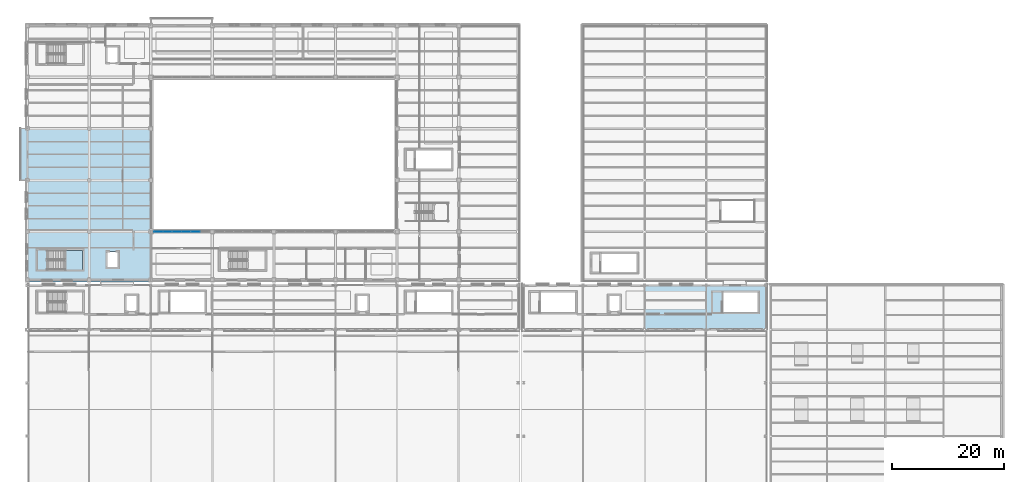
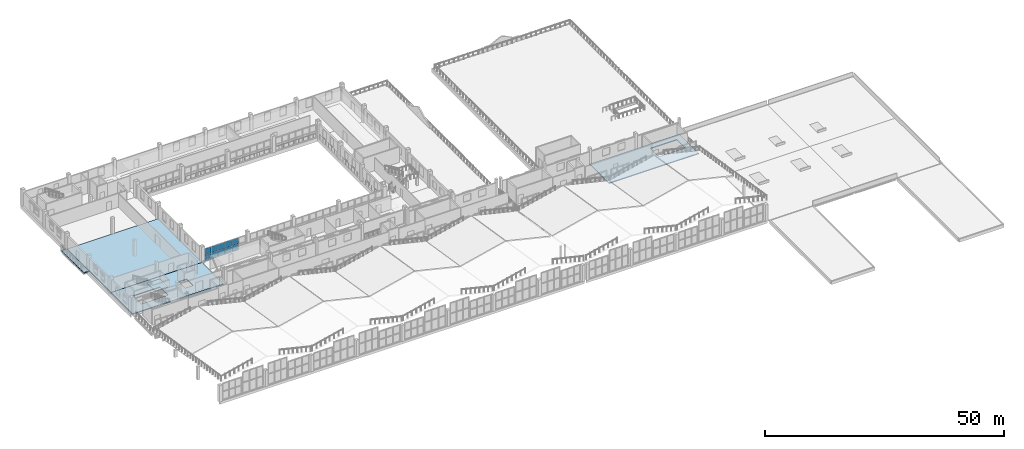
# One storey, part 85 of 120: 10 plates, 5 slabs, 2 elements without a shape of their own.
"""IFC4 building model written with IfcOpenShell, lengths in metres."""

import ifcopenshell
import ifcopenshell.guid

model = None  # the IFC model being written
_history = None  # IfcOwnerHistory: only IFC2X3 demands one
_inside = {}  # id of a spatial element -> (the spatial element, [elements in it])
_under = {}  # id of a project, library or spatial element -> (it, [spatial elements below it])
_declared = {}  # id of a project -> (the project, [libraries it declares])
_typed = {}  # id of a type object -> (the type object, [elements of that type])
_made_of = {}  # id of a material, layer set ... -> (it, [elements and type objects made of it])


def new_model(schema):
    """Start an empty IFC model of exactly this schema.

    Asked for "IFC4X3", IfcOpenShell would pick the latest addendum, in which some entities
    have other attributes; the version numbers below select the first issue.
    IFC2X3 requires an IfcOwnerHistory on every rooted entity: one is made here for all.
    """
    global model, _history
    if schema == "IFC4X3":
        model = ifcopenshell.file(schema_version=(4, 3, 0, 0))
    else:
        model = ifcopenshell.file(schema=schema)
    _inside.clear()
    _under.clear()
    _declared.clear()
    _typed.clear()
    _made_of.clear()
    _history = None
    if model.schema == "IFC2X3":
        org = make("IfcOrganization", Name="unknown")
        user = make(
            "IfcPersonAndOrganization",
            ThePerson=make("IfcPerson", FamilyName="unknown"),
            TheOrganization=org,
        )
        app = make(
            "IfcApplication",
            ApplicationDeveloper=org,
            Version="unknown",
            ApplicationFullName="unknown",
            ApplicationIdentifier="unknown",
        )
        _history = make(
            "IfcOwnerHistory",
            OwningUser=user,
            OwningApplication=app,
            ChangeAction="ADDED",
            CreationDate=0,
        )
    return model


def make(cls, **values):
    """One entity of the class cls with the attributes given. An attribute that is None is left unset."""
    return model.create_entity(
        cls, **{name: value for name, value in values.items() if value is not None}
    )


def rooted(cls, **values):
    """An entity with a GlobalId (a new one), such as an element, a storey or a relation."""
    return make(cls, GlobalId=ifcopenshell.guid.new(), OwnerHistory=_history, **values)


def si_unit(unit_type, name, prefix=None):
    """IfcSIUnit, for example si_unit("LENGTHUNIT", "METRE", prefix="MILLI")."""
    return make("IfcSIUnit", UnitType=unit_type, Prefix=prefix, Name=name)


def assignment(units):
    """IfcUnitAssignment: the units of a project."""
    return None if units is None else make("IfcUnitAssignment", Units=units)


def point(xyz):
    """IfcCartesianPoint."""
    return None if xyz is None else make("IfcCartesianPoint", Coordinates=xyz)


def direction(xyz):
    """IfcDirection."""
    return None if xyz is None else make("IfcDirection", DirectionRatios=xyz)


def frame(location, z_axis=None, x_axis=None):
    """IfcAxis2Placement3D, a coordinate frame: its origin and axes. An axis left out is left unset."""
    return make(
        "IfcAxis2Placement3D",
        Location=point(location),
        Axis=direction(z_axis),
        RefDirection=direction(x_axis),
    )


def frame_2d(location, x_axis=None):
    """IfcAxis2Placement2D, a coordinate frame in the plane: its origin and x axis."""
    return make(
        "IfcAxis2Placement2D", Location=point(location), RefDirection=direction(x_axis)
    )


def origin():
    """The frame at (0, 0, 0) with its axes left unset."""
    return frame((0.0, 0.0, 0.0))


def origin_2d():
    """The frame at (0, 0) in the plane with its x axis left unset."""
    return frame_2d((0.0, 0.0))


def place(relative_to, where):
    """IfcLocalPlacement: puts the frame where relative to a parent placement (None: the world)."""
    return make(
        "IfcLocalPlacement", PlacementRelTo=relative_to, RelativePlacement=where
    )


def context(
    kind, dimensions, precision=None, world=None, true_north=None, identifier=None
):
    """IfcGeometricRepresentationContext, for example the 3D "Model" context."""
    return make(
        "IfcGeometricRepresentationContext",
        ContextIdentifier=identifier,
        ContextType=kind,
        CoordinateSpaceDimension=dimensions,
        Precision=precision,
        WorldCoordinateSystem=world,
        TrueNorth=true_north,
    )


def subcontext(parent, identifier, kind, view, scale=None):
    """IfcGeometricRepresentationSubContext, for example "Body" below "Model"."""
    return make(
        "IfcGeometricRepresentationSubContext",
        ContextIdentifier=identifier,
        ContextType=kind,
        ParentContext=parent,
        TargetScale=scale,
        TargetView=view,
    )


def project(units=None, contexts=None):
    """IfcProject with its units and contexts."""
    return rooted(
        "IfcProject",
        Name="project",
        RepresentationContexts=contexts,
        UnitsInContext=assignment(units),
    )


def spatial(cls, under=None, at=None, **own):
    """A site, building, storey or space (cls), placed at a placement, below another one or the project."""
    s = rooted(cls, ObjectPlacement=at, **own)
    if under is not None:
        _under.setdefault(under.id(), (under, []))[1].append(s)
    return s


def polyline(points):
    """IfcPolyline through the points."""
    return make("IfcPolyline", Points=[point(p) for p in points])


def profile(cls, at=None, kind="AREA", **sizes):
    """A parametric profile (cls). Its sizes go by their IFC names, for example OverallWidth=200.0."""
    return make(cls, ProfileType=kind, Position=at, **sizes)


def rectangle(**sizes):
    """IfcRectangleProfileDef."""
    return profile("IfcRectangleProfileDef", **sizes)


def outline(outer, holes=None, kind="AREA"):
    """IfcArbitraryClosedProfileDef: a profile drawn as a closed curve; with holes, ...WithVoids."""
    if holes is None:
        return make("IfcArbitraryClosedProfileDef", ProfileType=kind, OuterCurve=outer)
    return make(
        "IfcArbitraryProfileDefWithVoids",
        ProfileType=kind,
        OuterCurve=outer,
        InnerCurves=holes,
    )


def extrude(swept, where, along, depth):
    """IfcExtrudedAreaSolid: the profile swept, set in the frame where, extruded along a direction by depth."""
    return make(
        "IfcExtrudedAreaSolid",
        SweptArea=swept,
        Position=where,
        ExtrudedDirection=direction(along),
        Depth=depth,
    )


def shape(context_of_items, identifier, shape_type, items):
    """IfcShapeRepresentation: the items that make up one representation, for example the "Body"."""
    return make(
        "IfcShapeRepresentation",
        ContextOfItems=context_of_items,
        RepresentationIdentifier=identifier,
        RepresentationType=shape_type,
        Items=items,
    )


def material(Name=None, Category=None):
    """IfcMaterial."""
    return make("IfcMaterial", Name=Name, Category=Category)


def layer(
    of_material, thickness, ventilated=None, Name=None, Category=None, Priority=None
):
    """IfcMaterialLayer: one layer of a wall or slab, of a material (None: an air gap)."""
    return make(
        "IfcMaterialLayer",
        Material=of_material,
        LayerThickness=thickness,
        IsVentilated=ventilated,
        Name=Name,
        Category=Category,
        Priority=Priority,
    )


def layer_set(layers, Name=None):
    """IfcMaterialLayerSet."""
    return make("IfcMaterialLayerSet", MaterialLayers=layers, LayerSetName=Name)


def made_of(thing, what):
    """Note that an element or type object is made of a material, layer set ...; save() writes the relation."""
    if what is not None:
        _made_of.setdefault(what.id(), (what, []))[1].append(thing)
    return thing


def type_object(cls, material=None, **own):
    """A type object (cls), such as IfcWallType, which elements share."""
    return made_of(rooted(cls, **own), material)


def element(
    cls,
    number,
    at=None,
    inside=None,
    cuts=None,
    type_object=None,
    material=None,
    context=None,
    identifier="Body",
    shape_type=None,
    held_by="IfcProductDefinitionShape",
    body=None,
    shapes=None,
    **own,
):
    """One element of the class cls, such as IfcWall. Its Tag is "e" and its number.

    at: its placement. inside: the storey or other place that contains it. cuts: it is an
    opening in that element (IfcRelVoidsElement). A single representation is given by context,
    identifier, shape_type and body (its items); several are given by shapes. held_by: the class
    of the entity that holds the representations. save() writes the other relations.
    """
    e = rooted(cls, Tag="e%d" % number, ObjectPlacement=at, **own)
    if body is not None:
        shapes = [shape(context, identifier, shape_type, body)]
    if shapes is not None:
        e.Representation = make(held_by, Representations=shapes)
    if inside is not None:
        _inside.setdefault(inside.id(), (inside, []))[1].append(e)
    if cuts is not None:
        rooted(
            "IfcRelVoidsElement", RelatingBuildingElement=cuts, RelatedOpeningElement=e
        )
    if type_object is not None:
        _typed.setdefault(type_object.id(), (type_object, []))[1].append(e)
    return made_of(e, material)


def aggregate(whole, parts):
    """IfcRelAggregates: a whole, such as a stair, and the parts it consists of."""
    return rooted("IfcRelAggregates", RelatingObject=whole, RelatedObjects=parts)


def save(model, path):
    """Write the relations noted so far, then the file.

    IfcRelAggregates (storeys below a building ...), IfcRelContainedInSpatialStructure (elements
    in a storey), IfcRelDefinesByType, IfcRelAssociatesMaterial and IfcRelDeclares: one each for
    every whole, place, type object, material and project.
    """
    for whole, parts in _under.values():
        aggregate(whole, parts)
    for where, things in _inside.values():
        rooted(
            "IfcRelContainedInSpatialStructure",
            RelatedElements=things,
            RelatingStructure=where,
        )
    for kind, things in _typed.values():
        rooted("IfcRelDefinesByType", RelatedObjects=things, RelatingType=kind)
    for what, things in _made_of.values():
        rooted("IfcRelAssociatesMaterial", RelatedObjects=things, RelatingMaterial=what)
    for by, libraries in _declared.values():
        rooted("IfcRelDeclares", RelatingContext=by, RelatedDefinitions=libraries)
    model.write(path)


model = new_model("IFC4")

# Units and contexts
model_context = context("Model", 3, precision=1e-05, world=origin(), true_north=direction((0.0, 1.0)))
body_context = subcontext(model_context, "Body", "Model", "MODEL_VIEW")
ifc_project = project(units=[si_unit("LENGTHUNIT", "METRE"), si_unit("AREAUNIT", "SQUARE_METRE"), si_unit("VOLUMEUNIT", "CUBIC_METRE"), si_unit("PLANEANGLEUNIT", "RADIAN"), si_unit("MASSUNIT", "GRAM", prefix="KILO")], contexts=[model_context])

# Site, building, storey
site_placement = place(None, origin())
site = spatial("IfcSite", under=ifc_project, at=site_placement, CompositionType="ELEMENT")
building_placement = place(site_placement, origin())
building = spatial("IfcBuilding", under=site, at=building_placement, Name="Caurita Quay Ferry Terminal", CompositionType="ELEMENT")
storey_placement = place(building_placement, frame((0.0, 0.0, 9.89990234375)))
storey = spatial("IfcBuildingStorey", under=building, at=storey_placement, Name="L02", CompositionType="ELEMENT", Elevation=9.89990234375)

# Curtain wall, plates
ifc_material_1 = material(Name="Laminated solar-control insulated glass", Category="glass")
curtain_wall_type = type_object("IfcCurtainWallType", Name="CW-SYS-24", PredefinedType="NOTDEFINED", material=ifc_material_1)
curtain_wall_placement = place(storey_placement, origin())
curtain_wall = element("IfcCurtainWall", 1, at=curtain_wall_placement, inside=storey, type_object=curtain_wall_type, Name="L02 Courtyard Cloister Storefront 164", PredefinedType="NOTDEFINED")
ifc_layer_1 = layer(ifc_material_1, 0.02392578125, Name="Laminated low-e hurricane-rated glazing unit 24 mm")
ifc_layer_set_1 = layer_set([ifc_layer_1], Name="Laminated solar-control insulated glass")
plate_type = type_object("IfcPlateType", Name="CW-PNL-24", PredefinedType="CURTAIN_PANEL", material=ifc_layer_set_1)
plate_1_placement = place(storey_placement, frame((23.389892578125, 80.199951171875, 0.05810546875), z_axis=(0.0, 0.0, 1.0), x_axis=(1.0, 0.0, 0.0)))
plate_1 = element("IfcPlate", 2, at=plate_1_placement, type_object=plate_type, Name="CW-CRT-164 Glazing Panel 1", PredefinedType="CURTAIN_PANEL", context=body_context, shape_type="SweptSolid", body=[
    extrude(rectangle(XDim=1.56396484375, YDim=0.02392578125, at=origin_2d()), origin(), (0.0, 0.0, 1.0), 1.56396484375),
])
plate_2_placement = place(storey_placement, frame((23.389892578125, 80.199951171875, 1.67822265625), z_axis=(0.0, 0.0, 1.0), x_axis=(1.0, 0.0, 0.0)))
plate_2 = element("IfcPlate", 3, at=plate_2_placement, type_object=plate_type, Name="CW-CRT-164 Glazing Panel 2", PredefinedType="CURTAIN_PANEL", context=body_context, shape_type="SweptSolid", body=[
    extrude(rectangle(XDim=1.56396484375, YDim=0.02392578125, at=origin_2d()), origin(), (0.0, 0.0, 1.0), 1.56396484375),
])
plate_3_placement = place(storey_placement, frame((25.02490234375, 80.199951171875, 0.05810546875), z_axis=(0.0, 0.0, 1.0), x_axis=(1.0, 0.0, 0.0)))
plate_3 = element("IfcPlate", 4, at=plate_3_placement, type_object=plate_type, Name="CW-CRT-164 Glazing Panel 3", PredefinedType="CURTAIN_PANEL", context=body_context, shape_type="SweptSolid", body=[
    extrude(rectangle(XDim=1.593994140625, YDim=0.02392578125, at=origin_2d()), origin(), (0.0, 0.0, 1.0), 1.56396484375),
])
plate_4_placement = place(storey_placement, frame((25.02490234375, 80.199951171875, 1.67822265625), z_axis=(0.0, 0.0, 1.0), x_axis=(1.0, 0.0, 0.0)))
plate_4 = element("IfcPlate", 5, at=plate_4_placement, type_object=plate_type, Name="CW-CRT-164 Glazing Panel 4", PredefinedType="CURTAIN_PANEL", context=body_context, shape_type="SweptSolid", body=[
    extrude(rectangle(XDim=1.593994140625, YDim=0.02392578125, at=origin_2d()), origin(), (0.0, 0.0, 1.0), 1.56396484375),
])
plate_5_placement = place(storey_placement, frame((26.675048828125, 80.199951171875, 0.05810546875), z_axis=(0.0, 0.0, 1.0), x_axis=(1.0, 0.0, 0.0)))
plate_5 = element("IfcPlate", 6, at=plate_5_placement, type_object=plate_type, Name="CW-CRT-164 Glazing Panel 5", PredefinedType="CURTAIN_PANEL", context=body_context, shape_type="SweptSolid", body=[
    extrude(rectangle(XDim=1.593994140625, YDim=0.02392578125, at=origin_2d()), origin(), (0.0, 0.0, 1.0), 1.56396484375),
])
plate_6_placement = place(storey_placement, frame((26.675048828125, 80.199951171875, 1.67822265625), z_axis=(0.0, 0.0, 1.0), x_axis=(1.0, 0.0, 0.0)))
plate_6 = element("IfcPlate", 7, at=plate_6_placement, type_object=plate_type, Name="CW-CRT-164 Glazing Panel 6", PredefinedType="CURTAIN_PANEL", context=body_context, shape_type="SweptSolid", body=[
    extrude(rectangle(XDim=1.593994140625, YDim=0.02392578125, at=origin_2d()), origin(), (0.0, 0.0, 1.0), 1.56396484375),
])
plate_7_placement = place(storey_placement, frame((28.324951171875, 80.199951171875, 0.05810546875), z_axis=(0.0, 0.0, 1.0), x_axis=(1.0, 0.0, 0.0)))
plate_7 = element("IfcPlate", 8, at=plate_7_placement, type_object=plate_type, Name="CW-CRT-164 Glazing Panel 7", PredefinedType="CURTAIN_PANEL", context=body_context, shape_type="SweptSolid", body=[
    extrude(rectangle(XDim=1.593994140625, YDim=0.02392578125, at=origin_2d()), origin(), (0.0, 0.0, 1.0), 1.56396484375),
])
plate_8_placement = place(storey_placement, frame((28.324951171875, 80.199951171875, 1.67822265625), z_axis=(0.0, 0.0, 1.0), x_axis=(1.0, 0.0, 0.0)))
plate_8 = element("IfcPlate", 9, at=plate_8_placement, type_object=plate_type, Name="CW-CRT-164 Glazing Panel 8", PredefinedType="CURTAIN_PANEL", context=body_context, shape_type="SweptSolid", body=[
    extrude(rectangle(XDim=1.593994140625, YDim=0.02392578125, at=origin_2d()), origin(), (0.0, 0.0, 1.0), 1.56396484375),
])
plate_9_placement = place(storey_placement, frame((29.97509765625, 80.199951171875, 0.05810546875), z_axis=(0.0, 0.0, 1.0), x_axis=(1.0, 0.0, 0.0)))
plate_9 = element("IfcPlate", 10, at=plate_9_placement, type_object=plate_type, Name="CW-CRT-164 Glazing Panel 9", PredefinedType="CURTAIN_PANEL", context=body_context, shape_type="SweptSolid", body=[
    extrude(rectangle(XDim=1.593994140625, YDim=0.02392578125, at=origin_2d()), origin(), (0.0, 0.0, 1.0), 1.56396484375),
])
plate_10_placement = place(storey_placement, frame((29.97509765625, 80.199951171875, 1.67822265625), z_axis=(0.0, 0.0, 1.0), x_axis=(1.0, 0.0, 0.0)))
plate_10 = element("IfcPlate", 11, at=plate_10_placement, type_object=plate_type, Name="CW-CRT-164 Glazing Panel 10", PredefinedType="CURTAIN_PANEL", context=body_context, shape_type="SweptSolid", body=[
    extrude(rectangle(XDim=1.593994140625, YDim=0.02392578125, at=origin_2d()), origin(), (0.0, 0.0, 1.0), 1.56396484375),
])
aggregate(curtain_wall, [plate_1, plate_2, plate_3, plate_4, plate_5, plate_6, plate_7, plate_8, plate_9, plate_10])

# Slabs
ifc_material_2 = material(Name="Reinforced concrete C35/45", Category="concrete")
ifc_layer_2 = layer(ifc_material_2, 0.219970703125, Name="Reinforced concrete floor slab 220 mm")
ifc_layer_set_2 = layer_set([ifc_layer_2], Name="Reinforced concrete C35/45")
slab_type_1 = type_object("IfcSlabType", Name="SLB-BAL-220", PredefinedType="FLOOR", material=ifc_layer_set_2)
slab_1_placement = place(storey_placement, frame((0.0, 0.0, -0.219970703125)))
element("IfcSlab", 12, at=slab_1_placement, inside=storey, type_object=slab_type_1, Name="Heritage Gallery Waterfront Rejas Balcony", PredefinedType="FLOOR", context=body_context, shape_type="SweptSolid", body=[
    extrude(outline(polyline([(-1.35009765625, 89.300048828125), (0.0, 89.300048828125), (0.0, 98.699951171875), (-1.35009765625, 98.699951171875), (-1.35009765625, 89.300048828125)])), origin(), (0.0, 0.0, 1.0), 0.219970703125),
])
ifc_layer_3 = layer(ifc_material_2, 0.219970703125, Name="Reinforced concrete floor slab 220 mm")
ifc_layer_set_3 = layer_set([ifc_layer_3], Name="Reinforced concrete C35/45")
slab_type_2 = type_object("IfcSlabType", Name="SLB-FLR-220", PredefinedType="FLOOR", material=ifc_layer_set_3)
slab_2_placement = place(storey_placement, frame((0.0, 0.0, -0.219970703125)))
element("IfcSlab", 13, at=slab_2_placement, inside=storey, type_object=slab_type_2, Name="L02 V2-MEZ Slab 02", PredefinedType="FLOOR", context=body_context, shape_type="SweptSolid", body=[
    extrude(outline(polyline([(110.199951171875, 62.699951171875), (131.89990234375, 62.699951171875), (131.89990234375, 70.75), (110.199951171875, 70.75), (110.199951171875, 62.699951171875)]), holes=[polyline([(124.10009765625, 65.800048828125), (130.449951171875, 65.800048828125), (130.449951171875, 69.360107421875), (124.10009765625, 69.360107421875), (124.10009765625, 65.800048828125)])]), origin(), (0.0, 0.0, 1.0), 0.219970703125),
])
slab_3_placement = place(storey_placement, frame((0.0, 0.0, -0.219970703125)))
element("IfcSlab", 14, at=slab_3_placement, inside=storey, type_object=slab_type_2, Name="L02 V5-FLR Slab 01", PredefinedType="FLOOR", context=body_context, shape_type="SweptSolid", body=[
    extrude(outline(polyline([(0.0, 71.199951171875), (22.0, 71.199951171875), (22.0, 80.199951171875), (0.0, 80.199951171875), (0.0, 71.199951171875)]), holes=[polyline([(3.449951171875, 73.39990234375), (9.85009765625, 73.39990234375), (9.85009765625, 76.860107421875), (3.449951171875, 76.860107421875), (3.449951171875, 73.39990234375)]), polyline([(14.2548828125, 73.85498046875), (16.14501953125, 73.85498046875), (16.14501953125, 76.544921875), (14.2548828125, 76.544921875), (14.2548828125, 73.85498046875)])]), origin(), (0.0, 0.0, 1.0), 0.219970703125),
])
slab_4_placement = place(storey_placement, frame((0.0, 0.0, -0.219970703125)))
element("IfcSlab", 15, at=slab_4_placement, inside=storey, type_object=slab_type_2, Name="L02 V5-FLR Slab 02", PredefinedType="FLOOR", context=body_context, shape_type="SweptSolid", body=[
    extrude(outline(polyline([(0.0, 80.199951171875), (22.0, 80.199951171875), (22.0, 98.60009765625), (0.0, 98.60009765625), (0.0, 80.199951171875)])), origin(), (0.0, 0.0, 1.0), 0.219970703125),
])

# Stair, slab
stair_type = type_object("IfcStairType", Name="STR-DL-03", PredefinedType="HALF_TURN_STAIR", material=ifc_material_2)
stair_placement = place(storey_placement, origin())
stair = element("IfcStair", 16, at=stair_placement, inside=storey, type_object=stair_type, Name="L02 Protected Exit Stair ST-02", PredefinedType="HALF_TURN_STAIR")
ifc_layer_4 = layer(ifc_material_2, 0.199951171875, Name="Reinforced concrete landing slab 200 mm")
ifc_layer_set_4 = layer_set([ifc_layer_4], Name="Reinforced concrete C35/45")
slab_type_3 = type_object("IfcSlabType", Name="SLB-LND-200", PredefinedType="LANDING", material=ifc_layer_set_4)
slab_5_placement = place(storey_placement, frame((0.0, 0.0, 1.900146484375)))
slab_5 = element("IfcSlab", 17, at=slab_5_placement, type_object=slab_type_3, Name="ST-02 landing 1", PredefinedType="LANDING", context=body_context, shape_type="SweptSolid", body=[
    extrude(outline(polyline([(6.75, 73.39990234375), (9.85009765625, 73.39990234375), (9.85009765625, 76.860107421875), (6.75, 76.860107421875), (6.75, 73.39990234375)])), origin(), (0.0, 0.0, 1.0), 0.199951171875),
])
aggregate(stair, [slab_5])

save(model, "model.ifc")
